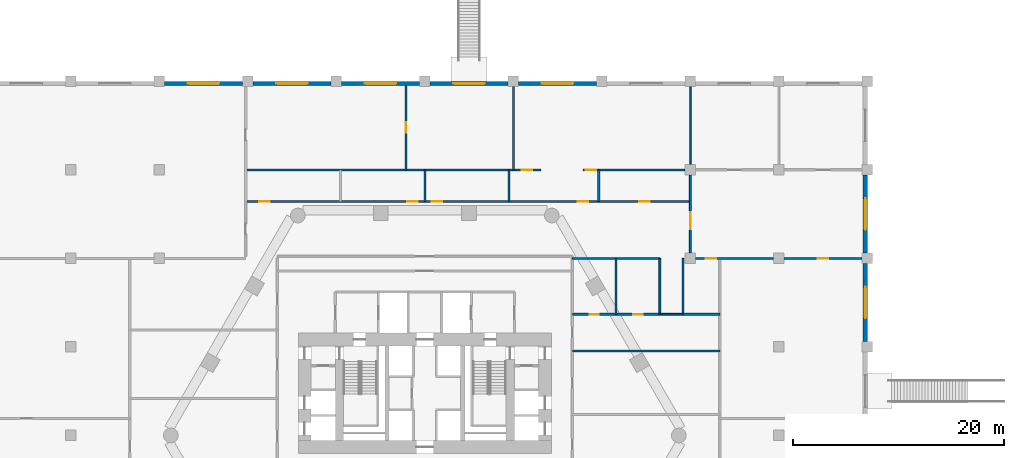
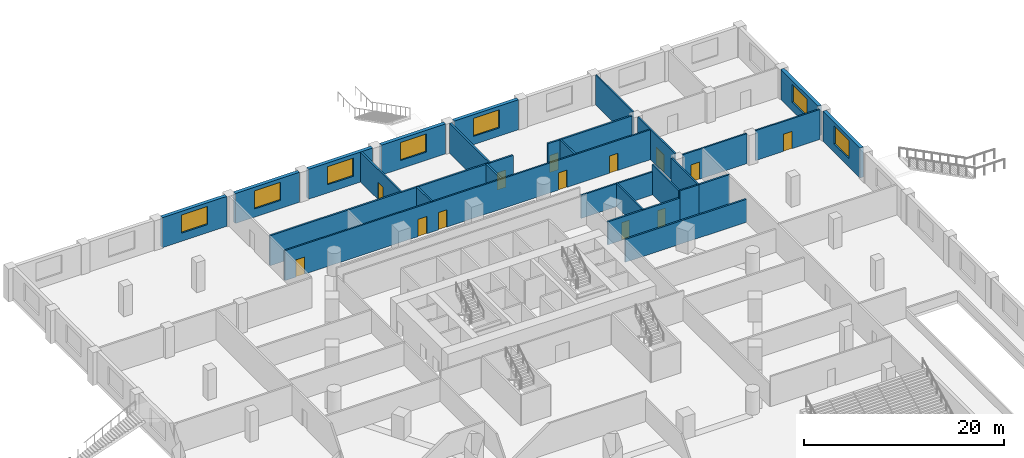
# One storey, part 16 of 24: 27 walls, 13 doors, 7 windows, 20 openings.
"""IFC4 building model written with IfcOpenShell, lengths in metres."""

from ifc_helpers import new_model, si_unit, direction, frame, frame_2d, origin, place, context, subcontext, project, spatial, rectangle, extrude, material, layer, layer_set, type_object, element, fill, save


model = new_model("IFC4")

# Units and contexts
model_context = context("Model", 3, precision=1e-05, world=origin(), true_north=direction((0.0, 1.0)))
body_context = subcontext(model_context, "Body", "Model", "MODEL_VIEW")
ifc_project = project(units=[si_unit("LENGTHUNIT", "METRE"), si_unit("AREAUNIT", "SQUARE_METRE"), si_unit("VOLUMEUNIT", "CUBIC_METRE"), si_unit("PLANEANGLEUNIT", "RADIAN"), si_unit("MASSUNIT", "GRAM", prefix="KILO")], contexts=[model_context])

# Site, building, storey
site_placement = place(None, origin())
site = spatial("IfcSite", under=ifc_project, at=site_placement, CompositionType="ELEMENT")
building_placement = place(site_placement, origin())
building = spatial("IfcBuilding", under=site, at=building_placement, Name="Ostrander Bayou Hotel Tower", CompositionType="ELEMENT")
storey_placement = place(building_placement, frame((0.0, 0.0, 6.0)))
storey = spatial("IfcBuildingStorey", under=building, at=storey_placement, Name="L01", CompositionType="ELEMENT", Elevation=6.0)

# Wall
ifc_material_1 = material(Name="Gypsum board partition", Category="finish")
ifc_layer_1 = layer(ifc_material_1, 0.199951171875)
ifc_layer_set_1 = layer_set([ifc_layer_1], Name="PT3 demising wall 200 mm acoustic double stud, 1 hour")
wall_type_1 = type_object("IfcWallType", Name="PT3 demising wall 200 mm acoustic double stud, 1 hour", PredefinedType="PARTITIONING", material=ifc_layer_set_1)
wall_1_placement = place(storey_placement, frame((14.0, 8.0, 0.0), z_axis=(0.0, 0.0, 1.0), x_axis=(1.0, 0.0, 0.0)))
element("IfcWall", 1, at=wall_1_placement, inside=storey, type_object=wall_type_1, Name="sw:L01:037", PredefinedType="PARTITIONING", context=body_context, shape_type="SweptSolid", body=[
    extrude(rectangle(XDim=14.0, YDim=0.199951171875, at=frame_2d((7.0, 0.0))), origin(), (0.0, 0.0, 1.0), 2.800048828125),
])

# Wall, openings, doors
wall_2_placement = place(storey_placement, frame((14.0, 11.5, 0.0), z_axis=(0.0, 0.0, 1.0), x_axis=(1.0, 0.0, 0.0)))
wall_2 = element("IfcWall", 2, at=wall_2_placement, inside=storey, type_object=wall_type_1, Name="sw:L01:039", PredefinedType="PARTITIONING", context=body_context, shape_type="SweptSolid", body=[
    extrude(rectangle(XDim=8.302001953125, YDim=0.199951171875, at=frame_2d((4.15087890625, 0.0))), origin(), (0.0, 0.0, 1.0), 2.800048828125),
])
opening_1_placement = place(wall_2_placement, frame((1.62548828125, 0.0, 0.0)))
opening_1 = element("IfcOpeningElement", 3, at=opening_1_placement, cuts=wall_2, Name="Opening T01-220", PredefinedType="OPENING", context=body_context, shape_type="SweptSolid", body=[
    extrude(rectangle(XDim=0.89990234375, YDim=2.10009765625, at=frame_2d((0.449951171875, 1.050048828125))), frame((0.0, 0.10009765625, 0.0), z_axis=(0.0, -1.0, 0.0), x_axis=(1.0, 0.0, 0.0)), (0.0, 0.0, 1.0), 0.199951171875),
])
opening_2_placement = place(wall_2_placement, frame((5.7763671875, 0.0, 0.0)))
opening_2 = element("IfcOpeningElement", 4, at=opening_2_placement, cuts=wall_2, Name="Opening T01-221", PredefinedType="OPENING", context=body_context, shape_type="SweptSolid", body=[
    extrude(rectangle(XDim=0.89990234375, YDim=2.10009765625, at=frame_2d((0.449951171875, 1.050048828125))), frame((0.0, 0.10009765625, 0.0), z_axis=(0.0, -1.0, 0.0), x_axis=(1.0, 0.0, 0.0)), (0.0, 0.0, 1.0), 0.199951171875),
])
ifc_material_2 = material(Name="Timber door leaf", Category="wood")
door_type_1 = type_object("IfcDoorType", Name="D8 room door 900 x 2100 mm", OperationType="SINGLE_SWING_LEFT", PredefinedType="DOOR", material=ifc_material_2)
door_1_placement = place(opening_1_placement, origin())
door_1 = element("IfcDoor", 5, at=door_1_placement, inside=storey, type_object=door_type_1, Name="dr:L01:220", OperationType="SINGLE_SWING_RIGHT", OverallHeight=2.10009765625, OverallWidth=0.89990234375, PredefinedType="DOOR", context=body_context, shape_type="SweptSolid", body=[
    extrude(rectangle(XDim=0.89990234375, YDim=2.10009765625, at=frame_2d((0.449951171875, 1.050048828125))), frame((0.0, 0.02490234375, 0.0), z_axis=(0.0, -1.0, 0.0), x_axis=(1.0, 0.0, 0.0)), (0.0, 0.0, 1.0), 0.050048828125),
])
fill(opening_1, door_1)
door_2_placement = place(opening_2_placement, origin())
door_2 = element("IfcDoor", 6, at=door_2_placement, inside=storey, type_object=door_type_1, Name="dr:L01:221", OperationType="SINGLE_SWING_LEFT", OverallHeight=2.10009765625, OverallWidth=0.89990234375, PredefinedType="DOOR", context=body_context, shape_type="SweptSolid", body=[
    extrude(rectangle(XDim=0.89990234375, YDim=2.10009765625, at=frame_2d((0.449951171875, 1.050048828125))), frame((0.0, 0.02490234375, 0.0), z_axis=(0.0, -1.0, 0.0), x_axis=(1.0, 0.0, 0.0)), (0.0, 0.0, 1.0), 0.050048828125),
])
fill(opening_2, door_2)

# Wall
wall_3_placement = place(storey_placement, frame((24.5, 11.5, 0.0), z_axis=(0.0, 0.0, 1.0), x_axis=(1.0, 0.0, 0.0)))
element("IfcWall", 7, at=wall_3_placement, inside=storey, type_object=wall_type_1, Name="sw:L01:040", PredefinedType="PARTITIONING", context=body_context, shape_type="SweptSolid", body=[
    extrude(rectangle(XDim=3.5, YDim=0.199951171875, at=frame_2d((1.75, 0.0))), origin(), (0.0, 0.0, 1.0), 3.64990234375),
])

# Wall, opening, door
wall_4_placement = place(storey_placement, frame((-17.0, 25.199951171875, 0.0), z_axis=(0.0, 0.0, 1.0), x_axis=(1.0, 0.0, 0.0)))
wall_4 = element("IfcWall", 8, at=wall_4_placement, inside=storey, type_object=wall_type_1, Name="sw:L01:044", PredefinedType="PARTITIONING", context=body_context, shape_type="SweptSolid", body=[
    extrude(rectangle(XDim=28.01904296875, YDim=0.199951171875, at=frame_2d((14.009521484375, 0.0))), origin(), (0.0, 0.0, 1.0), 3.64990234375),
])
opening_3_placement = place(wall_4_placement, frame((26.20947265625, 0.0, 0.0)))
opening_3 = element("IfcOpeningElement", 9, at=opening_3_placement, cuts=wall_4, Name="Opening T01-229", PredefinedType="OPENING", context=body_context, shape_type="SweptSolid", body=[
    extrude(rectangle(XDim=1.0, YDim=2.10009765625, at=frame_2d((0.5, 1.050048828125))), frame((0.0, 0.10009765625, 0.0), z_axis=(0.0, -1.0, 0.0), x_axis=(1.0, 0.0, 0.0)), (0.0, 0.0, 1.0), 0.199951171875),
])
ifc_material_3 = material(Name="Timber door leaf", Category="wood")
door_type_2 = type_object("IfcDoorType", Name="D9 service door 1000 x 2100 mm, 30 minute", OperationType="SINGLE_SWING_LEFT", PredefinedType="DOOR", material=ifc_material_3)
door_3_placement = place(opening_3_placement, origin())
door_3 = element("IfcDoor", 10, at=door_3_placement, inside=storey, type_object=door_type_2, Name="dr:L01:229", OperationType="SINGLE_SWING_LEFT", OverallHeight=2.10009765625, OverallWidth=1.0, PredefinedType="DOOR", context=body_context, shape_type="SweptSolid", body=[
    extrude(rectangle(XDim=1.0, YDim=2.10009765625, at=frame_2d((0.5, 1.050048828125))), frame((0.0, 0.02490234375, 0.0), z_axis=(0.0, -1.0, 0.0), x_axis=(1.0, 0.0, 0.0)), (0.0, 0.0, 1.0), 0.050048828125),
])
fill(opening_3, door_3)

wall_5_placement = place(storey_placement, frame((15.0, 25.199951171875, 0.0), z_axis=(0.0, 0.0, 1.0), x_axis=(1.0, 0.0, 0.0)))
wall_5 = element("IfcWall", 11, at=wall_5_placement, inside=storey, type_object=wall_type_1, Name="sw:L01:045", PredefinedType="PARTITIONING", context=body_context, shape_type="SweptSolid", body=[
    extrude(rectangle(XDim=9.699951171875, YDim=0.199951171875, at=frame_2d((4.85009765625, 0.0))), origin(), (0.0, 0.0, 1.0), 3.64990234375),
])
opening_4_placement = place(wall_5_placement, frame((0.25, 0.0, 0.0)))
opening_4 = element("IfcOpeningElement", 12, at=opening_4_placement, cuts=wall_5, Name="Opening T01-230", PredefinedType="OPENING", context=body_context, shape_type="SweptSolid", body=[
    extrude(rectangle(XDim=1.0, YDim=2.10009765625, at=frame_2d((0.5, 1.050048828125))), frame((0.0, 0.10009765625, 0.0), z_axis=(0.0, -1.0, 0.0), x_axis=(1.0, 0.0, 0.0)), (0.0, 0.0, 1.0), 0.199951171875),
])
door_4_placement = place(opening_4_placement, origin())
door_4 = element("IfcDoor", 13, at=door_4_placement, inside=storey, type_object=door_type_2, Name="dr:L01:230", OperationType="SINGLE_SWING_RIGHT", OverallHeight=2.10009765625, OverallWidth=1.0, PredefinedType="DOOR", context=body_context, shape_type="SweptSolid", body=[
    extrude(rectangle(XDim=1.0, YDim=2.10009765625, at=frame_2d((0.5, 1.050048828125))), frame((0.0, 0.02490234375, 0.0), z_axis=(0.0, -1.0, 0.0), x_axis=(1.0, 0.0, 0.0)), (0.0, 0.0, 1.0), 0.050048828125),
])
fill(opening_4, door_4)

wall_6_placement = place(storey_placement, frame((-1.800048828125, 25.199951171875, 0.0), z_axis=(0.0, 0.0, 1.0), x_axis=(0.0, 1.0, 0.0)))
wall_6 = element("IfcWall", 14, at=wall_6_placement, inside=storey, type_object=wall_type_1, Name="sw:L01:049", PredefinedType="PARTITIONING", context=body_context, shape_type="SweptSolid", body=[
    extrude(rectangle(XDim=8.02001953125, YDim=0.199951171875, at=frame_2d((4.010009765625, 0.0))), origin(), (0.0, 0.0, 1.0), 3.64990234375),
])
opening_5_placement = place(wall_6_placement, frame((3.510009765625, 0.0, 0.0)))
opening_5 = element("IfcOpeningElement", 15, at=opening_5_placement, cuts=wall_6, Name="Opening T01-228", PredefinedType="OPENING", context=body_context, shape_type="SweptSolid", body=[
    extrude(rectangle(XDim=1.0, YDim=2.10009765625, at=frame_2d((0.5, 1.050048828125))), frame((0.0, 0.10009765625, 0.0), z_axis=(0.0, -1.0, 0.0), x_axis=(1.0, 0.0, 0.0)), (0.0, 0.0, 1.0), 0.199951171875),
])
door_5_placement = place(opening_5_placement, origin())
door_5 = element("IfcDoor", 16, at=door_5_placement, inside=storey, type_object=door_type_2, Name="dr:L01:228", OperationType="SINGLE_SWING_RIGHT", OverallHeight=2.10009765625, OverallWidth=1.0, PredefinedType="DOOR", context=body_context, shape_type="SweptSolid", body=[
    extrude(rectangle(XDim=1.0, YDim=2.10009765625, at=frame_2d((0.5, 1.050048828125))), frame((0.0, 0.02490234375, 0.0), z_axis=(0.0, -1.0, 0.0), x_axis=(1.0, 0.0, 0.0)), (0.0, 0.0, 1.0), 0.050048828125),
])
fill(opening_5, door_5)

# Walls
for number, where, z_axis, x_axis, name in (
    (17, (0.0, 22.199951171875, 0.0), (0.0, 0.0, 1.0), (0.0, 1.0, 0.0), "sw:L01:050"),
    (18, (8.0, 22.199951171875, 0.0), (0.0, 0.0, 1.0), (0.0, 1.0, 0.0), "sw:L01:051"),
):
    element("IfcWall", number, at=place(storey_placement, frame(where, z_axis=z_axis, x_axis=x_axis)), inside=storey, type_object=wall_type_1, Name=name, PredefinedType="PARTITIONING", context=body_context, shape_type="SweptSolid", body=[
        extrude(rectangle(XDim=3.0, YDim=0.199951171875, at=frame_2d((1.5, 0.0))), origin(), (0.0, 0.0, 1.0), 3.64990234375),
    ])
wall_7_placement = place(storey_placement, frame((8.39990234375, 25.199951171875, 0.0), z_axis=(0.0, 0.0, 1.0), x_axis=(0.0, 1.0, 0.0)))
element("IfcWall", 19, at=wall_7_placement, inside=storey, type_object=wall_type_1, Name="sw:L01:052", PredefinedType="PARTITIONING", context=body_context, shape_type="SweptSolid", body=[
    extrude(rectangle(XDim=7.900146484375, YDim=0.199951171875, at=frame_2d((3.9501953125, 0.0))), origin(), (0.0, 0.0, 1.0), 3.64990234375),
])
wall_8_placement = place(storey_placement, frame((16.5, 22.199951171875, 0.0), z_axis=(0.0, 0.0, 1.0), x_axis=(0.0, 1.0, 0.0)))
element("IfcWall", 20, at=wall_8_placement, inside=storey, type_object=wall_type_1, Name="sw:L01:053", PredefinedType="PARTITIONING", context=body_context, shape_type="SweptSolid", body=[
    extrude(rectangle(XDim=3.0, YDim=0.199951171875, at=frame_2d((1.5, 0.0))), origin(), (0.0, 0.0, 1.0), 3.64990234375),
])
wall_9_placement = place(storey_placement, frame((18.15087890625, 11.5, 0.0), z_axis=(0.0, 0.0, 1.0), x_axis=(0.0, 1.0, 0.0)))
element("IfcWall", 21, at=wall_9_placement, inside=storey, type_object=wall_type_1, Name="sw:L01:054", PredefinedType="PARTITIONING", context=body_context, shape_type="SweptSolid", body=[
    extrude(rectangle(XDim=5.300048828125, YDim=0.199951171875, at=frame_2d((2.64990234375, 0.0))), origin(), (0.0, 0.0, 1.0), 2.800048828125),
])
ifc_material_4 = material(Name="Gypsum board partition", Category="finish")
ifc_layer_2 = layer(ifc_material_4, 0.175048828125)
ifc_layer_set_2 = layer_set([ifc_layer_2], Name="PT4 corridor wall 175 mm, 1 hour")
wall_type_2 = type_object("IfcWallType", Name="PT4 corridor wall 175 mm, 1 hour", PredefinedType="PARTITIONING", material=ifc_layer_set_2)
wall_10_placement = place(storey_placement, frame((22.302001953125, 11.5, 0.0), z_axis=(0.0, 0.0, 1.0), x_axis=(1.0, 0.0, 0.0)))
element("IfcWall", 22, at=wall_10_placement, inside=storey, type_object=wall_type_2, Name="sw:L01:008", PredefinedType="PARTITIONING", context=body_context, shape_type="SweptSolid", body=[
    extrude(rectangle(XDim=2.197998046875, YDim=0.175048828125, at=frame_2d((1.09912109375, 0.0))), origin(), (0.0, 0.0, 1.0), 3.64990234375),
])
wall_11_placement = place(storey_placement, frame((14.0, 16.800048828125, 0.0), z_axis=(0.0, 0.0, 1.0), x_axis=(1.0, 0.0, 0.0)))
element("IfcWall", 23, at=wall_11_placement, inside=storey, type_object=wall_type_2, Name="sw:L01:010", PredefinedType="PARTITIONING", context=body_context, shape_type="SweptSolid", body=[
    extrude(rectangle(XDim=8.302001953125, YDim=0.175048828125, at=frame_2d((4.15087890625, 0.0))), origin(), (0.0, 0.0, 1.0), 2.800048828125),
])

# Wall, opening, door
wall_12_placement = place(storey_placement, frame((25.699951171875, 16.800048828125, 0.0), z_axis=(0.0, 0.0, 1.0), x_axis=(1.0, 0.0, 0.0)))
wall_12 = element("IfcWall", 24, at=wall_12_placement, inside=storey, type_object=wall_type_2, Name="sw:L01:011", PredefinedType="PARTITIONING", context=body_context, shape_type="SweptSolid", body=[
    extrude(rectangle(XDim=7.400146484375, YDim=0.175048828125, at=frame_2d((3.7001953125, 0.0))), origin(), (0.0, 0.0, 1.0), 3.64990234375),
])
opening_6_placement = place(wall_12_placement, frame((0.949951171875, 0.0, 0.0)))
opening_6 = element("IfcOpeningElement", 25, at=opening_6_placement, cuts=wall_12, Name="Opening T01-222", PredefinedType="OPENING", context=body_context, shape_type="SweptSolid", body=[
    extrude(rectangle(XDim=1.0, YDim=2.10009765625, at=frame_2d((0.5, 1.050048828125))), frame((0.0, 0.08740234375, 0.0), z_axis=(0.0, -1.0, 0.0), x_axis=(1.0, 0.0, 0.0)), (0.0, 0.0, 1.0), 0.175048828125),
])
door_6_placement = place(opening_6_placement, origin())
door_6 = element("IfcDoor", 26, at=door_6_placement, inside=storey, type_object=door_type_2, Name="dr:L01:222", OperationType="SINGLE_SWING_RIGHT", OverallHeight=2.10009765625, OverallWidth=1.0, PredefinedType="DOOR", context=body_context, shape_type="SweptSolid", body=[
    extrude(rectangle(XDim=1.0, YDim=2.10009765625, at=frame_2d((0.5, 1.050048828125))), frame((0.0, 0.02490234375, 0.0), z_axis=(0.0, -1.0, 0.0), x_axis=(1.0, 0.0, 0.0)), (0.0, 0.0, 1.0), 0.050048828125),
])
fill(opening_6, door_6)

wall_13_placement = place(storey_placement, frame((34.10009765625, 16.800048828125, 0.0), z_axis=(0.0, 0.0, 1.0), x_axis=(1.0, 0.0, 0.0)))
wall_13 = element("IfcWall", 27, at=wall_13_placement, inside=storey, type_object=wall_type_2, Name="sw:L01:012", PredefinedType="PARTITIONING", context=body_context, shape_type="SweptSolid", body=[
    extrude(rectangle(XDim=7.39990234375, YDim=0.175048828125, at=frame_2d((3.699951171875, 0.0))), origin(), (0.0, 0.0, 1.0), 3.64990234375),
])
opening_7_placement = place(wall_13_placement, frame((3.199951171875, 0.0, 0.0)))
opening_7 = element("IfcOpeningElement", 28, at=opening_7_placement, cuts=wall_13, Name="Opening T01-236", PredefinedType="OPENING", context=body_context, shape_type="SweptSolid", body=[
    extrude(rectangle(XDim=1.0, YDim=2.10009765625, at=frame_2d((0.5, 1.050048828125))), frame((0.0, 0.08740234375, 0.0), z_axis=(0.0, -1.0, 0.0), x_axis=(1.0, 0.0, 0.0)), (0.0, 0.0, 1.0), 0.175048828125),
])
door_7_placement = place(opening_7_placement, origin())
door_7 = element("IfcDoor", 29, at=door_7_placement, inside=storey, type_object=door_type_2, Name="dr:L01:236", OperationType="SINGLE_SWING_RIGHT", OverallHeight=2.10009765625, OverallWidth=1.0, PredefinedType="DOOR", context=body_context, shape_type="SweptSolid", body=[
    extrude(rectangle(XDim=1.0, YDim=2.10009765625, at=frame_2d((0.5, 1.050048828125))), frame((0.0, 0.02490234375, 0.0), z_axis=(0.0, -1.0, 0.0), x_axis=(1.0, 0.0, 0.0)), (0.0, 0.0, 1.0), 0.050048828125),
])
fill(opening_7, door_7)

# Wall, openings, doors
wall_14_placement = place(storey_placement, frame((-17.0, 22.199951171875, 0.0), z_axis=(0.0, 0.0, 1.0), x_axis=(1.0, 0.0, 0.0)))
wall_14 = element("IfcWall", 30, at=wall_14_placement, inside=storey, type_object=wall_type_2, Name="sw:L01:014", PredefinedType="PARTITIONING", context=body_context, shape_type="SweptSolid", body=[
    extrude(rectangle(XDim=42.199951171875, YDim=0.175048828125, at=frame_2d((21.10009765625, 0.0))), origin(), (0.0, 0.0, 1.0), 3.64990234375),
])
opening_8_placement = place(wall_14_placement, frame((1.26220703125, 0.0, 0.0)))
opening_8 = element("IfcOpeningElement", 31, at=opening_8_placement, cuts=wall_14, Name="Opening T01-202", PredefinedType="OPENING", context=body_context, shape_type="SweptSolid", body=[
    extrude(rectangle(XDim=1.0, YDim=2.10009765625, at=frame_2d((0.5, 1.050048828125))), frame((0.0, 0.08740234375, 0.0), z_axis=(0.0, -1.0, 0.0), x_axis=(1.0, 0.0, 0.0)), (0.0, 0.0, 1.0), 0.175048828125),
])
opening_9_placement = place(wall_14_placement, frame((15.34375, 0.0, 0.0)))
opening_9 = element("IfcOpeningElement", 32, at=opening_9_placement, cuts=wall_14, Name="Opening T01-203", PredefinedType="OPENING", context=body_context, shape_type="SweptSolid", body=[
    extrude(rectangle(XDim=1.0, YDim=2.10009765625, at=frame_2d((0.5, 1.050048828125))), frame((0.0, 0.08740234375, 0.0), z_axis=(0.0, -1.0, 0.0), x_axis=(1.0, 0.0, 0.0)), (0.0, 0.0, 1.0), 0.175048828125),
])
opening_10_placement = place(wall_14_placement, frame((17.65625, 0.0, 0.0)))
opening_10 = element("IfcOpeningElement", 33, at=opening_10_placement, cuts=wall_14, Name="Opening T01-204", PredefinedType="OPENING", context=body_context, shape_type="SweptSolid", body=[
    extrude(rectangle(XDim=1.0, YDim=2.10009765625, at=frame_2d((0.5, 1.050048828125))), frame((0.0, 0.08740234375, 0.0), z_axis=(0.0, -1.0, 0.0), x_axis=(1.0, 0.0, 0.0)), (0.0, 0.0, 1.0), 0.175048828125),
])
opening_11_placement = place(wall_14_placement, frame((31.48779296875, 0.0, 0.0)))
opening_11 = element("IfcOpeningElement", 34, at=opening_11_placement, cuts=wall_14, Name="Opening T01-205", PredefinedType="OPENING", context=body_context, shape_type="SweptSolid", body=[
    extrude(rectangle(XDim=1.0, YDim=2.10009765625, at=frame_2d((0.5, 1.050048828125))), frame((0.0, 0.08740234375, 0.0), z_axis=(0.0, -1.0, 0.0), x_axis=(1.0, 0.0, 0.0)), (0.0, 0.0, 1.0), 0.175048828125),
])
opening_12_placement = place(wall_14_placement, frame((37.35009765625, 0.0, 0.0)))
opening_12 = element("IfcOpeningElement", 35, at=opening_12_placement, cuts=wall_14, Name="Opening T01-206", PredefinedType="OPENING", context=body_context, shape_type="SweptSolid", body=[
    extrude(rectangle(XDim=1.0, YDim=2.10009765625, at=frame_2d((0.5, 1.050048828125))), frame((0.0, 0.08740234375, 0.0), z_axis=(0.0, -1.0, 0.0), x_axis=(1.0, 0.0, 0.0)), (0.0, 0.0, 1.0), 0.175048828125),
])
door_8_placement = place(opening_8_placement, origin())
door_8 = element("IfcDoor", 36, at=door_8_placement, inside=storey, type_object=door_type_2, Name="dr:L01:202", OperationType="SINGLE_SWING_RIGHT", OverallHeight=2.10009765625, OverallWidth=1.0, PredefinedType="DOOR", context=body_context, shape_type="SweptSolid", body=[
    extrude(rectangle(XDim=1.0, YDim=2.10009765625, at=frame_2d((0.5, 1.050048828125))), frame((0.0, 0.02490234375, 0.0), z_axis=(0.0, -1.0, 0.0), x_axis=(1.0, 0.0, 0.0)), (0.0, 0.0, 1.0), 0.050048828125),
])
fill(opening_8, door_8)
door_9_placement = place(opening_9_placement, origin())
door_9 = element("IfcDoor", 37, at=door_9_placement, inside=storey, type_object=door_type_2, Name="dr:L01:203", OperationType="SINGLE_SWING_LEFT", OverallHeight=2.10009765625, OverallWidth=1.0, PredefinedType="DOOR", context=body_context, shape_type="SweptSolid", body=[
    extrude(rectangle(XDim=1.0, YDim=2.10009765625, at=frame_2d((0.5, 1.050048828125))), frame((0.0, 0.02490234375, 0.0), z_axis=(0.0, -1.0, 0.0), x_axis=(1.0, 0.0, 0.0)), (0.0, 0.0, 1.0), 0.050048828125),
])
fill(opening_9, door_9)
door_10_placement = place(opening_10_placement, origin())
door_10 = element("IfcDoor", 38, at=door_10_placement, inside=storey, type_object=door_type_2, Name="dr:L01:204", OperationType="SINGLE_SWING_RIGHT", OverallHeight=2.10009765625, OverallWidth=1.0, PredefinedType="DOOR", context=body_context, shape_type="SweptSolid", body=[
    extrude(rectangle(XDim=1.0, YDim=2.10009765625, at=frame_2d((0.5, 1.050048828125))), frame((0.0, 0.02490234375, 0.0), z_axis=(0.0, -1.0, 0.0), x_axis=(1.0, 0.0, 0.0)), (0.0, 0.0, 1.0), 0.050048828125),
])
fill(opening_10, door_10)
door_11_placement = place(opening_11_placement, origin())
door_11 = element("IfcDoor", 39, at=door_11_placement, inside=storey, type_object=door_type_2, Name="dr:L01:205", OperationType="SINGLE_SWING_LEFT", OverallHeight=2.10009765625, OverallWidth=1.0, PredefinedType="DOOR", context=body_context, shape_type="SweptSolid", body=[
    extrude(rectangle(XDim=1.0, YDim=2.10009765625, at=frame_2d((0.5, 1.050048828125))), frame((0.0, 0.02490234375, 0.0), z_axis=(0.0, -1.0, 0.0), x_axis=(1.0, 0.0, 0.0)), (0.0, 0.0, 1.0), 0.050048828125),
])
fill(opening_11, door_11)
door_12_placement = place(opening_12_placement, origin())
door_12 = element("IfcDoor", 40, at=door_12_placement, inside=storey, type_object=door_type_2, Name="dr:L01:206", OperationType="SINGLE_SWING_RIGHT", OverallHeight=2.10009765625, OverallWidth=1.0, PredefinedType="DOOR", context=body_context, shape_type="SweptSolid", body=[
    extrude(rectangle(XDim=1.0, YDim=2.10009765625, at=frame_2d((0.5, 1.050048828125))), frame((0.0, 0.02490234375, 0.0), z_axis=(0.0, -1.0, 0.0), x_axis=(1.0, 0.0, 0.0)), (0.0, 0.0, 1.0), 0.050048828125),
])
fill(opening_12, door_12)

# Walls
for number, where, z_axis, x_axis, name in (
    (41, (22.302001953125, 11.5, 0.0), (0.0, 0.0, 1.0), (0.0, 1.0, 0.0), "sw:L01:021"),
    (42, (24.5, 11.5, 0.0), (0.0, 0.0, 1.0), (0.0, 1.0, 0.0), "sw:L01:022"),
):
    element("IfcWall", number, at=place(storey_placement, frame(where, z_axis=z_axis, x_axis=x_axis)), inside=storey, type_object=wall_type_2, Name=name, PredefinedType="PARTITIONING", context=body_context, shape_type="SweptSolid", body=[
        extrude(rectangle(XDim=5.300048828125, YDim=0.175048828125, at=frame_2d((2.64990234375, 0.0))), origin(), (0.0, 0.0, 1.0), 3.64990234375),
    ])

# Wall, opening, door
wall_15_placement = place(storey_placement, frame((25.199951171875, 17.300048828125, 0.0), z_axis=(0.0, 0.0, 1.0), x_axis=(0.0, 1.0, 0.0)))
wall_15 = element("IfcWall", 43, at=wall_15_placement, inside=storey, type_object=wall_type_2, Name="sw:L01:023", PredefinedType="PARTITIONING", context=body_context, shape_type="SweptSolid", body=[
    extrude(rectangle(XDim=7.39990234375, YDim=0.175048828125, at=frame_2d((3.699951171875, 0.0))), origin(), (0.0, 0.0, 1.0), 3.64990234375),
])
opening_13_placement = place(wall_15_placement, frame((2.27490234375, 0.0, 0.0)))
opening_13 = element("IfcOpeningElement", 44, at=opening_13_placement, cuts=wall_15, Name="Opening T01-231", PredefinedType="OPENING", context=body_context, shape_type="SweptSolid", body=[
    extrude(rectangle(XDim=1.60009765625, YDim=2.10009765625, at=frame_2d((0.800048828125, 1.050048828125))), frame((0.0, 0.08740234375, 0.0), z_axis=(0.0, -1.0, 0.0), x_axis=(1.0, 0.0, 0.0)), (0.0, 0.0, 1.0), 0.175048828125),
])
ifc_material_5 = material(Name="Timber door leaf", Category="wood")
door_type_3 = type_object("IfcDoorType", Name="D13 double door 1600 x 2100 mm, 1 hour", OperationType="SINGLE_SWING_LEFT", PredefinedType="DOOR", material=ifc_material_5)
door_13_placement = place(opening_13_placement, origin())
door_13 = element("IfcDoor", 45, at=door_13_placement, inside=storey, type_object=door_type_3, Name="dr:L01:231", OperationType="DOUBLE_DOOR_SINGLE_SWING", OverallHeight=2.10009765625, OverallWidth=1.60009765625, PredefinedType="DOOR", context=body_context, shape_type="SweptSolid", body=[
    extrude(rectangle(XDim=1.60009765625, YDim=2.10009765625, at=frame_2d((0.800048828125, 1.050048828125))), frame((0.0, 0.02490234375, 0.0), z_axis=(0.0, -1.0, 0.0), x_axis=(1.0, 0.0, 0.0)), (0.0, 0.0, 1.0), 0.050048828125),
])
fill(opening_13, door_13)

# Wall
ifc_material_6 = material(Name="Gypsum board partition", Category="finish")
ifc_layer_3 = layer(ifc_material_6, 0.14990234375)
ifc_layer_set_3 = layer_set([ifc_layer_3], Name="PT7 riser wall 150 mm, 2 hour")
wall_type_3 = type_object("IfcWallType", Name="PT7 riser wall 150 mm, 2 hour", PredefinedType="PARTITIONING", material=ifc_layer_set_3)
wall_16_placement = place(storey_placement, frame((25.199951171875, 25.699951171875, 0.0), z_axis=(0.0, 0.0, 1.0), x_axis=(0.0, 1.0, 0.0)))
element("IfcWall", 46, at=wall_16_placement, inside=storey, type_object=wall_type_3, Name="sw:L01:056", PredefinedType="PARTITIONING", context=body_context, shape_type="SweptSolid", body=[
    extrude(rectangle(XDim=7.400146484375, YDim=0.14990234375, at=frame_2d((3.7001953125, 0.0))), origin(), (0.0, 0.0, 1.0), 3.64990234375),
])

# Wall, opening, window
ifc_material_7 = material(Name="Reconstituted stone on masonry backing", Category="masonry")
ifc_layer_4 = layer(ifc_material_7, 0.39990234375)
ifc_layer_set_4 = layer_set([ifc_layer_4], Name="PW1 stone cladding wall 400 mm")
wall_type_4 = type_object("IfcWallType", Name="PW1 stone cladding wall 400 mm", PredefinedType="SOLIDWALL", material=ifc_layer_set_4)
wall_17_placement = place(storey_placement, frame((41.800048828125, 24.699951171875, 0.0), z_axis=(0.0, 0.0, 1.0), x_axis=(0.0, -1.0, 0.0)))
wall_17 = element("IfcWall", 47, at=wall_17_placement, inside=storey, type_object=wall_type_4, Name="pw:L01:10", PredefinedType="SOLIDWALL", context=body_context, shape_type="SweptSolid", body=[
    extrude(rectangle(XDim=7.39990234375, YDim=0.39990234375, at=frame_2d((3.699951171875, 0.0))), origin(), (0.0, 0.0, 1.0), 3.64990234375),
])
opening_14_placement = place(wall_17_placement, frame((2.199951171875, 0.0, 1.0)))
opening_14 = element("IfcOpeningElement", 48, at=opening_14_placement, cuts=wall_17, Name="Opening W6", PredefinedType="OPENING", context=body_context, shape_type="SweptSolid", body=[
    extrude(rectangle(XDim=3.0, YDim=2.199951171875, at=frame_2d((1.5, 1.10009765625))), frame((0.0, 0.199951171875, 0.0), z_axis=(0.0, -1.0, 0.0), x_axis=(1.0, 0.0, 0.0)), (0.0, 0.0, 1.0), 0.39990234375),
])
ifc_material_8 = material(Name="Aluminium and clear glass", Category="aluminium")
window_type = type_object("IfcWindowType", Name="W6 podium window 3000 mm", PartitioningType="SINGLE_PANEL", PredefinedType="WINDOW", material=ifc_material_8)
window_1_placement = place(opening_14_placement, origin())
window_1 = element("IfcWindow", 49, at=window_1_placement, inside=storey, type_object=window_type, Name="W6 L01 10", OverallHeight=2.199951171875, OverallWidth=3.0, PartitioningType="SINGLE_PANEL", PredefinedType="WINDOW", context=body_context, shape_type="SweptSolid", body=[
    extrude(rectangle(XDim=3.0, YDim=2.199951171875, at=frame_2d((1.5, 1.10009765625))), frame((0.0, 0.030029296875, 0.0), z_axis=(0.0, -1.0, 0.0), x_axis=(1.0, 0.0, 0.0)), (0.0, 0.0, 1.0), 0.06005859375),
])
fill(opening_14, window_1)

wall_18_placement = place(storey_placement, frame((41.800048828125, 16.300048828125, 0.0), z_axis=(0.0, 0.0, 1.0), x_axis=(0.0, -1.0, 0.0)))
wall_18 = element("IfcWall", 50, at=wall_18_placement, inside=storey, type_object=wall_type_4, Name="pw:L01:11", PredefinedType="SOLIDWALL", context=body_context, shape_type="SweptSolid", body=[
    extrude(rectangle(XDim=7.400146484375, YDim=0.39990234375, at=frame_2d((3.7001953125, 0.0))), origin(), (0.0, 0.0, 1.0), 3.64990234375),
])
opening_15_placement = place(wall_18_placement, frame((2.199951171875, 0.0, 1.0)))
opening_15 = element("IfcOpeningElement", 51, at=opening_15_placement, cuts=wall_18, Name="Opening W6", PredefinedType="OPENING", context=body_context, shape_type="SweptSolid", body=[
    extrude(rectangle(XDim=3.0, YDim=2.199951171875, at=frame_2d((1.5, 1.10009765625))), frame((0.0, 0.199951171875, 0.0), z_axis=(0.0, -1.0, 0.0), x_axis=(1.0, 0.0, 0.0)), (0.0, 0.0, 1.0), 0.39990234375),
])
window_2_placement = place(opening_15_placement, origin())
window_2 = element("IfcWindow", 52, at=window_2_placement, inside=storey, type_object=window_type, Name="W6 L01 11", OverallHeight=2.199951171875, OverallWidth=3.0, PartitioningType="SINGLE_PANEL", PredefinedType="WINDOW", context=body_context, shape_type="SweptSolid", body=[
    extrude(rectangle(XDim=3.0, YDim=2.199951171875, at=frame_2d((1.5, 1.10009765625))), frame((0.0, 0.030029296875, 0.0), z_axis=(0.0, -1.0, 0.0), x_axis=(1.0, 0.0, 0.0)), (0.0, 0.0, 1.0), 0.06005859375),
])
fill(opening_15, window_2)

wall_19_placement = place(storey_placement, frame((-24.699951171875, 33.39990234375, 0.0), z_axis=(0.0, 0.0, 1.0), x_axis=(1.0, 0.0, 0.0)))
wall_19 = element("IfcWall", 53, at=wall_19_placement, inside=storey, type_object=wall_type_4, Name="pw:L01:21", PredefinedType="SOLIDWALL", context=body_context, shape_type="SweptSolid", body=[
    extrude(rectangle(XDim=7.39990234375, YDim=0.39990234375, at=frame_2d((3.699951171875, 0.0))), origin(), (0.0, 0.0, 1.0), 3.64990234375),
])
opening_16_placement = place(wall_19_placement, frame((2.199951171875, 0.0, 1.0)))
opening_16 = element("IfcOpeningElement", 54, at=opening_16_placement, cuts=wall_19, Name="Opening W6", PredefinedType="OPENING", context=body_context, shape_type="SweptSolid", body=[
    extrude(rectangle(XDim=3.0, YDim=2.199951171875, at=frame_2d((1.5, 1.10009765625))), frame((0.0, 0.199951171875, 0.0), z_axis=(0.0, -1.0, 0.0), x_axis=(1.0, 0.0, 0.0)), (0.0, 0.0, 1.0), 0.39990234375),
])
window_3_placement = place(opening_16_placement, origin())
window_3 = element("IfcWindow", 55, at=window_3_placement, inside=storey, type_object=window_type, Name="W6 L01 21", OverallHeight=2.199951171875, OverallWidth=3.0, PartitioningType="SINGLE_PANEL", PredefinedType="WINDOW", context=body_context, shape_type="SweptSolid", body=[
    extrude(rectangle(XDim=3.0, YDim=2.199951171875, at=frame_2d((1.5, 1.10009765625))), frame((0.0, 0.030029296875, 0.0), z_axis=(0.0, -1.0, 0.0), x_axis=(1.0, 0.0, 0.0)), (0.0, 0.0, 1.0), 0.06005859375),
])
fill(opening_16, window_3)

wall_20_placement = place(storey_placement, frame((-16.300048828125, 33.39990234375, 0.0), z_axis=(0.0, 0.0, 1.0), x_axis=(1.0, 0.0, 0.0)))
wall_20 = element("IfcWall", 56, at=wall_20_placement, inside=storey, type_object=wall_type_4, Name="pw:L01:22", PredefinedType="SOLIDWALL", context=body_context, shape_type="SweptSolid", body=[
    extrude(rectangle(XDim=7.400146484375, YDim=0.39990234375, at=frame_2d((3.7001953125, 0.0))), origin(), (0.0, 0.0, 1.0), 3.64990234375),
])
opening_17_placement = place(wall_20_placement, frame((2.199951171875, 0.0, 1.0)))
opening_17 = element("IfcOpeningElement", 57, at=opening_17_placement, cuts=wall_20, Name="Opening W6", PredefinedType="OPENING", context=body_context, shape_type="SweptSolid", body=[
    extrude(rectangle(XDim=3.0, YDim=2.199951171875, at=frame_2d((1.5, 1.10009765625))), frame((0.0, 0.199951171875, 0.0), z_axis=(0.0, -1.0, 0.0), x_axis=(1.0, 0.0, 0.0)), (0.0, 0.0, 1.0), 0.39990234375),
])
window_4_placement = place(opening_17_placement, origin())
window_4 = element("IfcWindow", 58, at=window_4_placement, inside=storey, type_object=window_type, Name="W6 L01 22", OverallHeight=2.199951171875, OverallWidth=3.0, PartitioningType="SINGLE_PANEL", PredefinedType="WINDOW", context=body_context, shape_type="SweptSolid", body=[
    extrude(rectangle(XDim=3.0, YDim=2.199951171875, at=frame_2d((1.5, 1.10009765625))), frame((0.0, 0.030029296875, 0.0), z_axis=(0.0, -1.0, 0.0), x_axis=(1.0, 0.0, 0.0)), (0.0, 0.0, 1.0), 0.06005859375),
])
fill(opening_17, window_4)

wall_21_placement = place(storey_placement, frame((-7.89990234375, 33.39990234375, 0.0), z_axis=(0.0, 0.0, 1.0), x_axis=(1.0, 0.0, 0.0)))
wall_21 = element("IfcWall", 59, at=wall_21_placement, inside=storey, type_object=wall_type_4, Name="pw:L01:23", PredefinedType="SOLIDWALL", context=body_context, shape_type="SweptSolid", body=[
    extrude(rectangle(XDim=7.39990234375, YDim=0.39990234375, at=frame_2d((3.699951171875, 0.0))), origin(), (0.0, 0.0, 1.0), 3.64990234375),
])
opening_18_placement = place(wall_21_placement, frame((2.199951171875, 0.0, 1.0)))
opening_18 = element("IfcOpeningElement", 60, at=opening_18_placement, cuts=wall_21, Name="Opening W6", PredefinedType="OPENING", context=body_context, shape_type="SweptSolid", body=[
    extrude(rectangle(XDim=3.0, YDim=2.199951171875, at=frame_2d((1.5, 1.10009765625))), frame((0.0, 0.199951171875, 0.0), z_axis=(0.0, -1.0, 0.0), x_axis=(1.0, 0.0, 0.0)), (0.0, 0.0, 1.0), 0.39990234375),
])
window_5_placement = place(opening_18_placement, origin())
window_5 = element("IfcWindow", 61, at=window_5_placement, inside=storey, type_object=window_type, Name="W6 L01 23", OverallHeight=2.199951171875, OverallWidth=3.0, PartitioningType="SINGLE_PANEL", PredefinedType="WINDOW", context=body_context, shape_type="SweptSolid", body=[
    extrude(rectangle(XDim=3.0, YDim=2.199951171875, at=frame_2d((1.5, 1.10009765625))), frame((0.0, 0.030029296875, 0.0), z_axis=(0.0, -1.0, 0.0), x_axis=(1.0, 0.0, 0.0)), (0.0, 0.0, 1.0), 0.06005859375),
])
fill(opening_18, window_5)

wall_22_placement = place(storey_placement, frame((0.5, 33.39990234375, 0.0), z_axis=(0.0, 0.0, 1.0), x_axis=(1.0, 0.0, 0.0)))
wall_22 = element("IfcWall", 62, at=wall_22_placement, inside=storey, type_object=wall_type_4, Name="pw:L01:24", PredefinedType="SOLIDWALL", context=body_context, shape_type="SweptSolid", body=[
    extrude(rectangle(XDim=7.39990234375, YDim=0.39990234375, at=frame_2d((3.699951171875, 0.0))), origin(), (0.0, 0.0, 1.0), 3.64990234375),
])
opening_19_placement = place(wall_22_placement, frame((2.199951171875, 0.0, 1.0)))
opening_19 = element("IfcOpeningElement", 63, at=opening_19_placement, cuts=wall_22, Name="Opening W6", PredefinedType="OPENING", context=body_context, shape_type="SweptSolid", body=[
    extrude(rectangle(XDim=3.0, YDim=2.199951171875, at=frame_2d((1.5, 1.10009765625))), frame((0.0, 0.199951171875, 0.0), z_axis=(0.0, -1.0, 0.0), x_axis=(1.0, 0.0, 0.0)), (0.0, 0.0, 1.0), 0.39990234375),
])
window_6_placement = place(opening_19_placement, origin())
window_6 = element("IfcWindow", 64, at=window_6_placement, inside=storey, type_object=window_type, Name="W6 L01 24", OverallHeight=2.199951171875, OverallWidth=3.0, PartitioningType="SINGLE_PANEL", PredefinedType="WINDOW", context=body_context, shape_type="SweptSolid", body=[
    extrude(rectangle(XDim=3.0, YDim=2.199951171875, at=frame_2d((1.5, 1.10009765625))), frame((0.0, 0.030029296875, 0.0), z_axis=(0.0, -1.0, 0.0), x_axis=(1.0, 0.0, 0.0)), (0.0, 0.0, 1.0), 0.06005859375),
])
fill(opening_19, window_6)

wall_23_placement = place(storey_placement, frame((8.89990234375, 33.39990234375, 0.0), z_axis=(0.0, 0.0, 1.0), x_axis=(1.0, 0.0, 0.0)))
wall_23 = element("IfcWall", 65, at=wall_23_placement, inside=storey, type_object=wall_type_4, Name="pw:L01:25", PredefinedType="SOLIDWALL", context=body_context, shape_type="SweptSolid", body=[
    extrude(rectangle(XDim=7.400146484375, YDim=0.39990234375, at=frame_2d((3.7001953125, 0.0))), origin(), (0.0, 0.0, 1.0), 3.64990234375),
])
opening_20_placement = place(wall_23_placement, frame((2.199951171875, 0.0, 1.0)))
opening_20 = element("IfcOpeningElement", 66, at=opening_20_placement, cuts=wall_23, Name="Opening W6", PredefinedType="OPENING", context=body_context, shape_type="SweptSolid", body=[
    extrude(rectangle(XDim=3.0, YDim=2.199951171875, at=frame_2d((1.5, 1.10009765625))), frame((0.0, 0.199951171875, 0.0), z_axis=(0.0, -1.0, 0.0), x_axis=(1.0, 0.0, 0.0)), (0.0, 0.0, 1.0), 0.39990234375),
])
window_7_placement = place(opening_20_placement, origin())
window_7 = element("IfcWindow", 67, at=window_7_placement, inside=storey, type_object=window_type, Name="W6 L01 25", OverallHeight=2.199951171875, OverallWidth=3.0, PartitioningType="SINGLE_PANEL", PredefinedType="WINDOW", context=body_context, shape_type="SweptSolid", body=[
    extrude(rectangle(XDim=3.0, YDim=2.199951171875, at=frame_2d((1.5, 1.10009765625))), frame((0.0, 0.030029296875, 0.0), z_axis=(0.0, -1.0, 0.0), x_axis=(1.0, 0.0, 0.0)), (0.0, 0.0, 1.0), 0.06005859375),
])
fill(opening_20, window_7)

save(model, "model.ifc")
